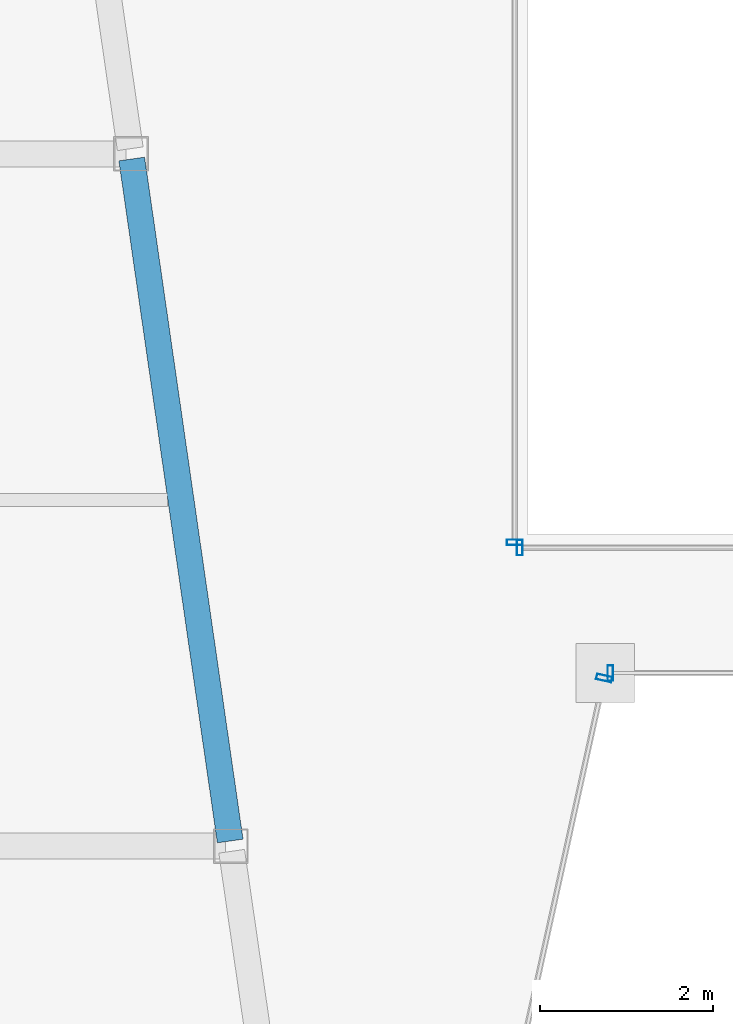
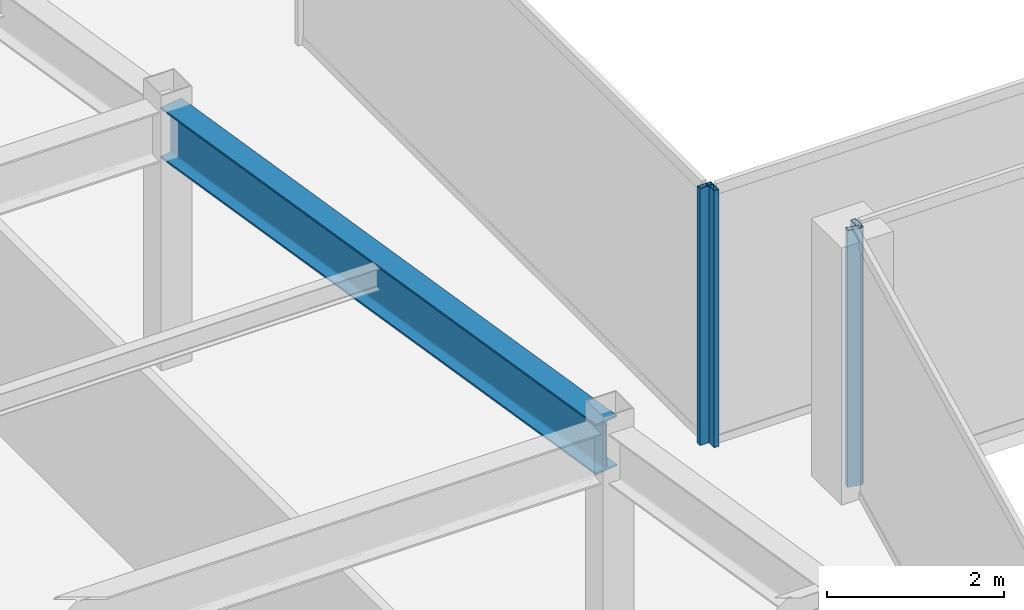
# One storey, part 7 of 36: 4 members, 1 beam, 4 elements without a shape of their own.
"""IFC4 building model written with IfcOpenShell, lengths in metres."""

from ifc_helpers import new_model, si_unit, direction, frame, origin, origin_2d, place, context, subcontext, project, spatial, hollow_rectangle, i_section, extrude, material, material_profile, profile_set, type_object, element, aggregate, save


model = new_model("IFC4")

# Units and contexts
model_context = context("Model", 3, precision=1e-05, world=origin(), true_north=direction((0.0, 1.0)))
body_context = subcontext(model_context, "Body", "Model", "MODEL_VIEW")
ifc_project = project(units=[si_unit("LENGTHUNIT", "METRE"), si_unit("AREAUNIT", "SQUARE_METRE"), si_unit("VOLUMEUNIT", "CUBIC_METRE"), si_unit("PLANEANGLEUNIT", "RADIAN"), si_unit("MASSUNIT", "GRAM", prefix="KILO")], contexts=[model_context])

# Site, building, storey
site_placement = place(None, origin())
site = spatial("IfcSite", under=ifc_project, at=site_placement, CompositionType="ELEMENT")
building_placement = place(site_placement, origin())
building = spatial("IfcBuilding", under=site, at=building_placement, Name="Saevonmaru Cultural Tower", CompositionType="ELEMENT")
storey_placement = place(building_placement, frame((0.0, 0.0, 205.60009765625)))
storey = spatial("IfcBuildingStorey", under=building, at=storey_placement, Name="L47", CompositionType="ELEMENT", Elevation=205.60009765625)

# Beam
ifc_material_1 = material(Name="Steel SM355", Category="steel")
ifc_material_profile_1 = material_profile(ifc_material_1, i_section(OverallWidth=0.300048828125, OverallDepth=0.699951171875, WebThickness=0.012939453125, FlangeThickness=0.02392578125, FilletRadius=0.02587890625, at=origin_2d()), Name="H-700x300x13x24")
ifc_profile_set_1 = profile_set([ifc_material_profile_1], Name="Steel SM355")
beam_type = type_object("IfcBeamType", Name="BM-G-H700", PredefinedType="BEAM", material=ifc_profile_set_1)
beam_placement = place(storey_placement, frame((20.763427734375, 24.059326171875, 3.199951171875), z_axis=(-0.142902032203, 0.989736838353, 0.0), x_axis=(-0.989736838353, -0.142902032203, 0.0)))
element("IfcBeam", 1, at=beam_placement, inside=storey, type_object=beam_type, Name="L47 West Atrium Girder 2", PredefinedType="BEAM", context=body_context, shape_type="SweptSolid", body=[
    extrude(i_section(OverallWidth=0.300048828125, OverallDepth=0.699951171875, WebThickness=0.012939453125, FlangeThickness=0.02392578125, FilletRadius=0.02587890625, at=origin_2d()), origin(), (0.0, 0.0, 1.0), 7.963134765625),
])

# Curtain wall, member
ifc_material_2 = material(Name="Satin Bronze Anodised Aluminium", Category="aluminium")
curtain_wall_type_1 = type_object("IfcCurtainWallType", Name="CW-TYP-B", PredefinedType="NOTDEFINED", material=ifc_material_2)
curtain_wall_1_placement = place(storey_placement, origin())
curtain_wall_1 = element("IfcCurtainWall", 2, at=curtain_wall_1_placement, inside=storey, type_object=curtain_wall_type_1, Name="L47 Unitised Curtain Wall E3", PredefinedType="NOTDEFINED")
ifc_material_profile_2 = material_profile(ifc_material_2, hollow_rectangle(XDim=0.06494140625, YDim=0.179931640625, WallThickness=0.00390625, at=origin_2d()), Name="ALU-MULL-180x65x4")
ifc_profile_set_2 = profile_set([ifc_material_profile_2], Name="Satin Bronze Anodised Aluminium")
member_type_1 = type_object("IfcMemberType", Name="ML-CW-180x65", PredefinedType="MULLION", material=ifc_profile_set_2)
member_1_placement = place(storey_placement, frame((25.0849609375, 25.94140625, 0.0), z_axis=(0.0, 0.0, 1.0), x_axis=(0.215413319953, 0.976522965212, 0.0)))
member_1 = element("IfcMember", 3, at=member_1_placement, type_object=member_type_1, Name="CW-TW-L47-E3 mullion 2", PredefinedType="MULLION", context=body_context, shape_type="SweptSolid", body=[
    extrude(hollow_rectangle(XDim=0.06494140625, YDim=0.179931640625, WallThickness=0.00390625, at=origin_2d()), origin(), (0.0, 0.0, 1.0), 3.5498046875),
])
aggregate(curtain_wall_1, [member_1])

curtain_wall_2_placement = place(storey_placement, origin())
curtain_wall_2 = element("IfcCurtainWall", 4, at=curtain_wall_2_placement, inside=storey, type_object=curtain_wall_type_1, Name="L47 Unitised Curtain Wall E4", PredefinedType="NOTDEFINED")
member_2_placement = place(storey_placement, frame((25.15771484375, 26.0, 0.0), z_axis=(0.0, 0.0, 1.0), x_axis=(1.0, 0.0, 0.0)))
member_2 = element("IfcMember", 5, at=member_2_placement, type_object=member_type_1, Name="CW-TW-L47-E4 mullion 1", PredefinedType="MULLION", context=body_context, shape_type="SweptSolid", body=[
    extrude(hollow_rectangle(XDim=0.06494140625, YDim=0.179931640625, WallThickness=0.00390625, at=origin_2d()), origin(), (0.0, 0.0, 1.0), 3.5498046875),
])
aggregate(curtain_wall_2, [member_2])

curtain_wall_type_2 = type_object("IfcCurtainWallType", Name="CW-ATR-GLZ", PredefinedType="NOTDEFINED", material=ifc_material_2)
curtain_wall_3_placement = place(storey_placement, origin())
curtain_wall_3 = element("IfcCurtainWall", 6, at=curtain_wall_3_placement, inside=storey, type_object=curtain_wall_type_2, Name="L47 Vertical Atrium Glazed Smoke Screen 1", PredefinedType="NOTDEFINED")
ifc_material_profile_3 = material_profile(ifc_material_2, hollow_rectangle(XDim=0.06494140625, YDim=0.179931640625, WallThickness=0.00390625, at=origin_2d()), Name="ALU-MULL-180x65x4")
ifc_profile_set_3 = profile_set([ifc_material_profile_3], Name="Satin Bronze Anodised Aluminium")
member_type_2 = type_object("IfcMemberType", Name="ML-CW-INT-180x65", PredefinedType="MULLION", material=ifc_profile_set_3)
member_3_placement = place(storey_placement, frame((24.110107421875, 27.449951171875, 0.0), z_axis=(0.0, 0.0, 1.0), x_axis=(1.0, 0.0, 0.0)))
member_3 = element("IfcMember", 7, at=member_3_placement, type_object=member_type_2, Name="CW-ATR-L47-1 mullion 1", PredefinedType="MULLION", context=body_context, shape_type="SweptSolid", body=[
    extrude(hollow_rectangle(XDim=0.06494140625, YDim=0.179931640625, WallThickness=0.00390625, at=origin_2d()), origin(), (0.0, 0.0, 1.0), 3.5498046875),
])
aggregate(curtain_wall_3, [member_3])

curtain_wall_4_placement = place(storey_placement, origin())
curtain_wall_4 = element("IfcCurtainWall", 8, at=curtain_wall_4_placement, inside=storey, type_object=curtain_wall_type_2, Name="L47 Vertical Atrium Glazed Smoke Screen 4", PredefinedType="NOTDEFINED")
member_4_placement = place(storey_placement, frame((24.050048828125, 27.510009765625, 0.0), z_axis=(0.0, 0.0, 1.0), x_axis=(0.0, -1.0, 0.0)))
member_4 = element("IfcMember", 9, at=member_4_placement, type_object=member_type_2, Name="CW-ATR-L47-4 mullion 2", PredefinedType="MULLION", context=body_context, shape_type="SweptSolid", body=[
    extrude(hollow_rectangle(XDim=0.06494140625, YDim=0.179931640625, WallThickness=0.00390625, at=origin_2d()), origin(), (0.0, 0.0, 1.0), 3.5498046875),
])
aggregate(curtain_wall_4, [member_4])

save(model, "model.ifc")
